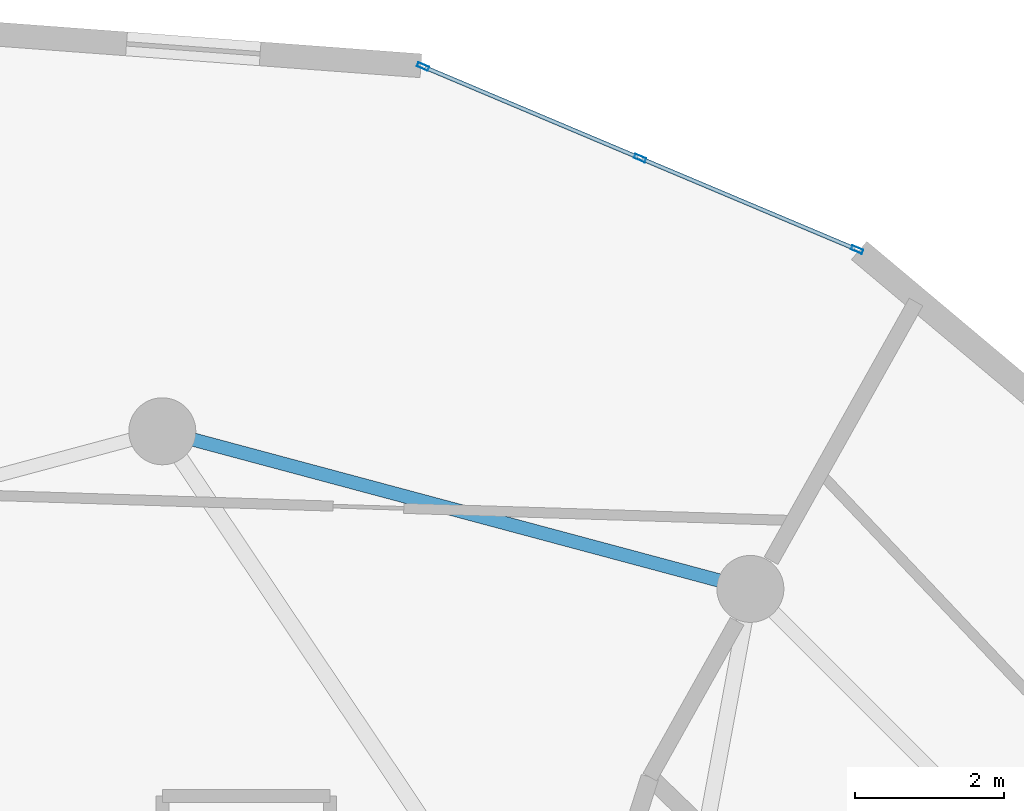
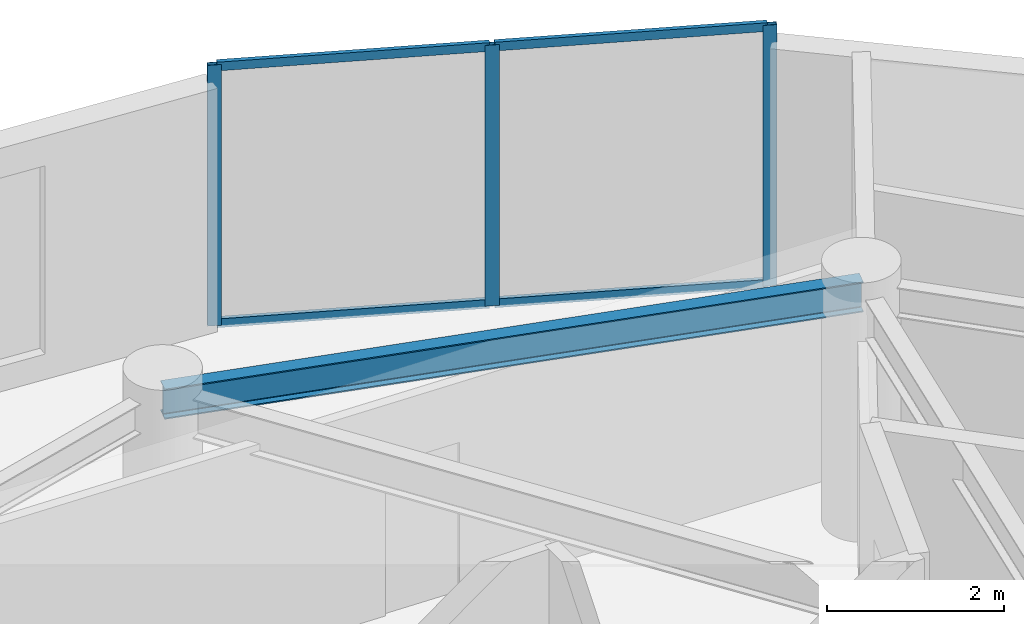
# One storey, part 12 of 18: 7 members, 1 beam, 1 element without a shape of its own.
"""IFC4 building model written with IfcOpenShell, lengths in metres."""

from ifc_helpers import new_model, si_unit, direction, frame, origin, origin_2d, place, context, subcontext, project, spatial, hollow_rectangle, i_section, extrude, source, transform, mapped, material, layer, layer_set, material_profile, profile_set, type_object, element, aggregate, save


model = new_model("IFC4")

# Units and contexts
model_context = context("Model", 3, precision=1e-05, world=origin(), true_north=direction((0.0, 1.0)))
body_context = subcontext(model_context, "Body", "Model", "MODEL_VIEW")
ifc_project = project(units=[si_unit("LENGTHUNIT", "METRE"), si_unit("AREAUNIT", "SQUARE_METRE"), si_unit("VOLUMEUNIT", "CUBIC_METRE"), si_unit("PLANEANGLEUNIT", "RADIAN"), si_unit("MASSUNIT", "GRAM", prefix="KILO")], contexts=[model_context])

# Site, building, storey
site_placement = place(None, origin())
site = spatial("IfcSite", under=ifc_project, at=site_placement, CompositionType="ELEMENT")
building_placement = place(site_placement, origin())
building = spatial("IfcBuilding", under=site, at=building_placement, Name="Solvirekh Grand Hotel", CompositionType="ELEMENT")
storey_placement = place(building_placement, frame((0.0, 0.0, 202.0)))
storey = spatial("IfcBuildingStorey", under=building, at=storey_placement, Name="L52", CompositionType="ELEMENT", Elevation=202.0)

# Beam
ifc_material_1 = material(Name="Steel S355", Category="steel")
ifc_material_profile_1 = material_profile(ifc_material_1, i_section(OverallWidth=0.180908203125, OverallDepth=0.4169921875, WebThickness=0.010009765625, FlangeThickness=0.01611328125, FilletRadius=0.011962890625, at=origin_2d()), Name="W410X85")
ifc_profile_set_1 = profile_set([ifc_material_profile_1], Name="Steel S355")
beam_type = type_object("IfcBeamType", Name="Spandrel_Ring_W410", PredefinedType="SPANDREL", material=ifc_profile_set_1)
beam_placement = place(storey_placement, frame((7.89990234375, 13.68310546875, 3.152099609375), z_axis=(-0.965920601923, 0.258838541915, 0.0), x_axis=(-0.258838541915, -0.965920601923, 0.0)))
element("IfcBeam", 1, at=beam_placement, inside=storey, type_object=beam_type, Name="L52 perimeter spandrel beam 3", PredefinedType="SPANDREL", context=body_context, shape_type="SweptSolid", body=[
    extrude(i_section(OverallWidth=0.180908203125, OverallDepth=0.4169921875, WebThickness=0.010009765625, FlangeThickness=0.01611328125, FilletRadius=0.011962890625, at=origin_2d()), origin(), (0.0, 0.0, 1.0), 8.1787109375),
])

# Curtain wall, members
ifc_material_2 = material(Name="Anodized Bronze Aluminium 6063-T6", Category="aluminium")
ifc_layer = layer(ifc_material_2, 0.159912109375)
ifc_layer_set = layer_set([ifc_layer], Name="Anodized Bronze Aluminium 6063-T6")
curtain_wall_type = type_object("IfcCurtainWallType", Name="CW_Sys4_HighZoneFlushBronzeCW", PredefinedType="NOTDEFINED", material=ifc_layer_set)
curtain_wall_placement = place(storey_placement, origin())
curtain_wall = element("IfcCurtainWall", 2, at=curtain_wall_placement, inside=storey, type_object=curtain_wall_type, Name="L52 unitised bronze-glass curtain wall CW-L52-C08", PredefinedType="NOTDEFINED")
ifc_material_profile_2 = material_profile(ifc_material_2, hollow_rectangle(XDim=0.06005859375, YDim=0.159912109375, WallThickness=0.0048828125, at=origin_2d()), Name="ALU RHS 160X60X5")
ifc_profile_set_2 = profile_set([ifc_material_profile_2], Name="Anodized Bronze Aluminium 6063-T6")
member_type_1 = type_object("IfcMemberType", Name="CWMullion_Sys4", PredefinedType="MULLION", material=ifc_profile_set_2)
shared_shape_1 = source(origin(), body_context, "Body", "SweptSolid", [
    extrude(hollow_rectangle(XDim=0.06005859375, YDim=0.159912109375, WallThickness=0.0048828125, at=origin_2d()), origin(), (0.0, 0.0, 1.0), 3.60009765625),
])
member_1_placement = place(storey_placement, frame((9.333251953125, 18.24072265625, 0.0), z_axis=(0.0, 0.0, 1.0), x_axis=(-0.388490802791, -0.92145260114, 0.0)))
member_1 = element("IfcMember", 3, at=member_1_placement, type_object=member_type_1, Name="U04 mullion 1", PredefinedType="MULLION", context=body_context, shape_type="MappedRepresentation", body=[
    mapped(shared_shape_1, transform((0.0, 0.0, 0.0), x_axis=(1.0, 0.0, 0.0), y_axis=(0.0, 1.0, 0.0), z_axis=(0.0, 0.0, 1.0), scale=1.0)),
])
member_2_placement = place(storey_placement, frame((6.41748046875, 19.469970703125, 0.0), z_axis=(0.0, 0.0, 1.0), x_axis=(-0.388490802791, -0.92145260114, 0.0)))
member_2 = element("IfcMember", 4, at=member_2_placement, type_object=member_type_1, Name="U04 mullion 2", PredefinedType="MULLION", context=body_context, shape_type="MappedRepresentation", body=[
    mapped(shared_shape_1, transform((0.0, 0.0, 0.0), x_axis=(1.0, 0.0, 0.0), y_axis=(0.0, 1.0, 0.0), z_axis=(0.0, 0.0, 1.0), scale=1.0)),
])
member_3_placement = place(storey_placement, frame((3.501708984375, 20.699462890625, 0.0), z_axis=(0.0, 0.0, 1.0), x_axis=(-0.388490802791, -0.92145260114, 0.0)))
member_3 = element("IfcMember", 5, at=member_3_placement, type_object=member_type_1, Name="U04 mullion 3", PredefinedType="MULLION", context=body_context, shape_type="MappedRepresentation", body=[
    mapped(shared_shape_1, transform((0.0, 0.0, 0.0), x_axis=(1.0, 0.0, 0.0), y_axis=(0.0, 1.0, 0.0), z_axis=(0.0, 0.0, 1.0), scale=1.0)),
])
ifc_material_profile_3 = material_profile(ifc_material_2, hollow_rectangle(XDim=0.054931640625, YDim=0.1201171875, WallThickness=0.00390625, at=origin_2d()), Name="ALU RHS 120X55X4")
ifc_profile_set_3 = profile_set([ifc_material_profile_3], Name="Anodized Bronze Aluminium 6063-T6")
member_type_2 = type_object("IfcMemberType", Name="CWTransom_Sys4", PredefinedType="USERDEFINED", material=ifc_profile_set_3)
shared_shape_2 = source(origin(), body_context, "Body", "SweptSolid", [
    extrude(hollow_rectangle(XDim=0.054931640625, YDim=0.1201171875, WallThickness=0.00390625, at=origin_2d()), origin(), (0.0, 0.0, 1.0), 3.1044921875),
])
member_4_placement = place(storey_placement, frame((9.3056640625, 18.252197265625, 0.027587890625), z_axis=(-0.921451711672, 0.388492912491, 0.0), x_axis=(-0.388492912491, -0.921451711672, 0.0)))
member_4 = element("IfcMember", 6, at=member_4_placement, type_object=member_type_2, Name="U04 transom 1.1", ObjectType="TRANSOM", PredefinedType="USERDEFINED", context=body_context, shape_type="MappedRepresentation", body=[
    mapped(shared_shape_2, transform((0.0, 0.0, 0.0), x_axis=(1.0, 0.0, 0.0), y_axis=(0.0, 1.0, 0.0), z_axis=(0.0, 0.0, 1.0), scale=1.0)),
])
member_5_placement = place(storey_placement, frame((9.3056640625, 18.252197265625, 3.572509765625), z_axis=(-0.921451711672, 0.388492912491, 0.0), x_axis=(-0.388492912491, -0.921451711672, 0.0)))
member_5 = element("IfcMember", 7, at=member_5_placement, type_object=member_type_2, Name="U04 transom 1.2", ObjectType="TRANSOM", PredefinedType="USERDEFINED", context=body_context, shape_type="MappedRepresentation", body=[
    mapped(shared_shape_2, transform((0.0, 0.0, 0.0), x_axis=(1.0, 0.0, 0.0), y_axis=(0.0, 1.0, 0.0), z_axis=(0.0, 0.0, 1.0), scale=1.0)),
])
member_6_placement = place(storey_placement, frame((6.389892578125, 19.481689453125, 0.027587890625), z_axis=(-0.921451711672, 0.388492912491, 0.0), x_axis=(-0.388492912491, -0.921451711672, 0.0)))
member_6 = element("IfcMember", 8, at=member_6_placement, type_object=member_type_2, Name="U04 transom 2.1", ObjectType="TRANSOM", PredefinedType="USERDEFINED", context=body_context, shape_type="MappedRepresentation", body=[
    mapped(shared_shape_2, transform((0.0, 0.0, 0.0), x_axis=(1.0, 0.0, 0.0), y_axis=(0.0, 1.0, 0.0), z_axis=(0.0, 0.0, 1.0), scale=1.0)),
])
member_7_placement = place(storey_placement, frame((6.389892578125, 19.481689453125, 3.572509765625), z_axis=(-0.921451711672, 0.388492912491, 0.0), x_axis=(-0.388492912491, -0.921451711672, 0.0)))
member_7 = element("IfcMember", 9, at=member_7_placement, type_object=member_type_2, Name="U04 transom 2.2", ObjectType="TRANSOM", PredefinedType="USERDEFINED", context=body_context, shape_type="MappedRepresentation", body=[
    mapped(shared_shape_2, transform((0.0, 0.0, 0.0), x_axis=(1.0, 0.0, 0.0), y_axis=(0.0, 1.0, 0.0), z_axis=(0.0, 0.0, 1.0), scale=1.0)),
])
aggregate(curtain_wall, [member_1, member_2, member_3, member_4, member_5, member_6, member_7])

save(model, "model.ifc")
